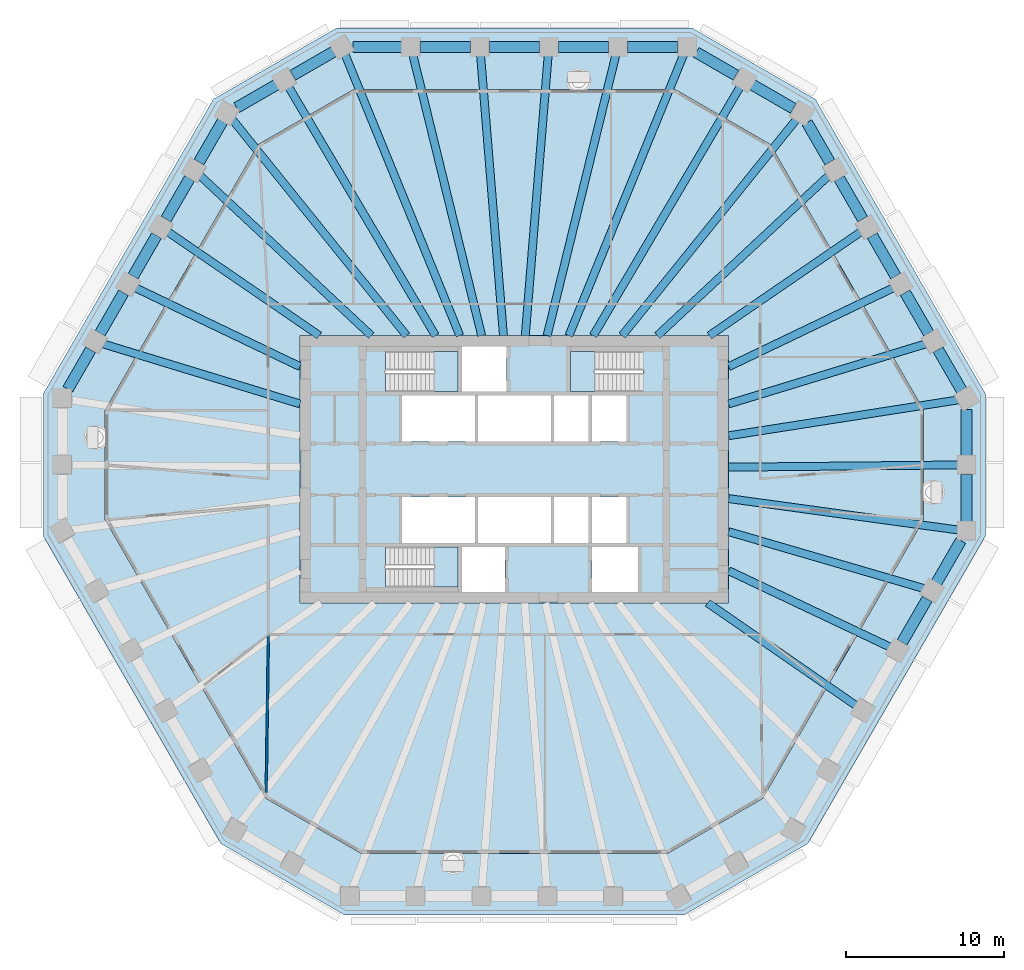
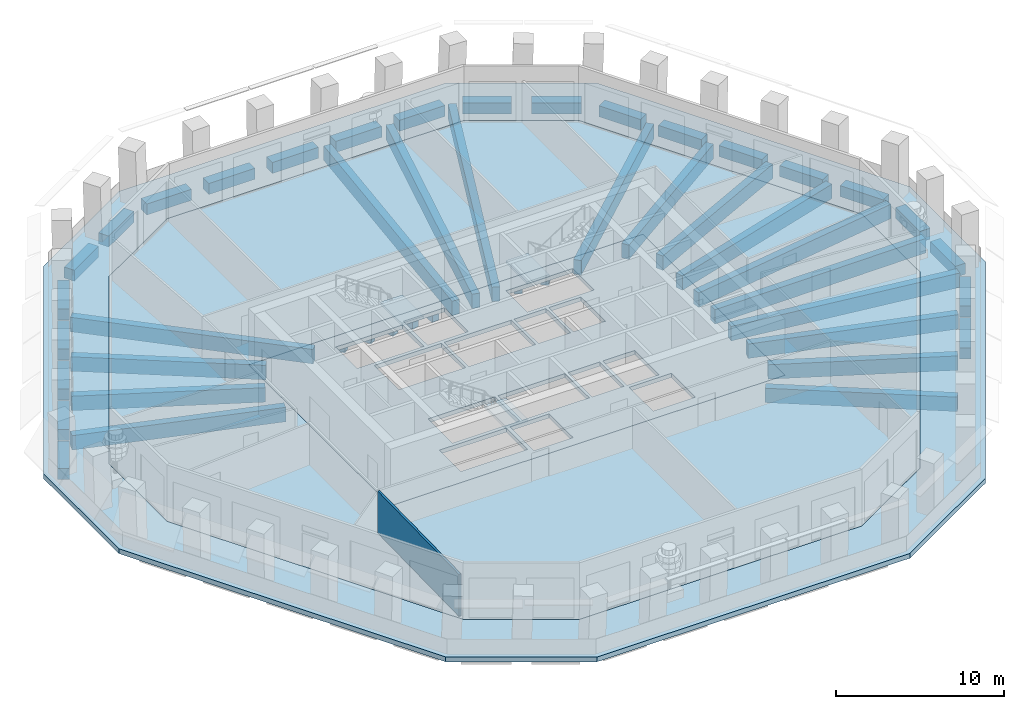
# One storey, part 2 of 12: 47 beams, 6 slabs, 1 wall, 3 elements without a shape of their own.
"""IFC4 building model written with IfcOpenShell, lengths in metres."""

from ifc_helpers import new_model, si_unit, direction, frame, frame_2d, origin, origin_2d, place, context, subcontext, project, spatial, polyline, rectangle, outline, extrude, material, layer, layer_set, material_profile, profile_set, type_object, element, aggregate, save


model = new_model("IFC4")

# Units and contexts
model_context = context("Model", 3, precision=1e-05, world=origin(), true_north=direction((0.0, 1.0)))
body_context = subcontext(model_context, "Body", "Model", "MODEL_VIEW")
ifc_project = project(units=[si_unit("LENGTHUNIT", "METRE"), si_unit("AREAUNIT", "SQUARE_METRE"), si_unit("VOLUMEUNIT", "CUBIC_METRE"), si_unit("PLANEANGLEUNIT", "RADIAN"), si_unit("MASSUNIT", "GRAM", prefix="KILO")], contexts=[model_context])

# Site, building, storey
site_placement = place(None, origin())
site = spatial("IfcSite", under=ifc_project, at=site_placement, CompositionType="ELEMENT")
building_placement = place(site_placement, origin())
building = spatial("IfcBuilding", under=site, at=building_placement, Name="Frailejon Research Tower", CompositionType="ELEMENT")
storey_placement = place(building_placement, frame((0.0, 0.0, 154.0)))
storey = spatial("IfcBuildingStorey", under=building, at=storey_placement, Name="L33", CompositionType="ELEMENT", Elevation=154.0)

# Beams
ifc_material_1 = material(Name="Concrete C60/75", Category="concrete")
ifc_material_profile_1 = material_profile(ifc_material_1, rectangle(XDim=0.5, YDim=1.050048828125, at=origin_2d()), Name="Girder 500x1050")
ifc_profile_set_1 = profile_set([ifc_material_profile_1], Name="Concrete C60/75")
beam_type_1 = type_object("IfcBeamType", Name="Girder 500x1050", PredefinedType="BEAM", material=ifc_profile_set_1)
beam_1_placement = place(storey_placement, frame((28.12109375, -3.84912109375, -0.824951171875), z_axis=(-0.990762463923, 0.135608775829, 0.0), x_axis=(-0.135608775829, -0.990762463923, 0.0)))
element("IfcBeam", 1, at=beam_1_placement, inside=storey, type_object=beam_type_1, Name="Girder 500x1050", PredefinedType="BEAM", context=body_context, shape_type="SweptSolid", body=[
    extrude(rectangle(XDim=0.5, YDim=1.050048828125, at=origin_2d()), origin(), (0.0, 0.0, 1.0), 14.706787109375),
])
beam_2_placement = place(storey_placement, frame((28.12255859375, 0.272216796875, -0.824951171875), z_axis=(-0.999953117957, -0.009683072294, 0.0), x_axis=(0.009683072294, -0.999953117957, 0.0)))
element("IfcBeam", 2, at=beam_2_placement, inside=storey, type_object=beam_type_1, Name="Girder 500x1050", PredefinedType="BEAM", context=body_context, shape_type="SweptSolid", body=[
    extrude(rectangle(XDim=0.5, YDim=1.050048828125, at=origin_2d()), origin(), (0.0, 0.0, 1.0), 14.5732421875),
])
beam_3_placement = place(storey_placement, frame((28.085205078125, 4.387939453125, -0.824951171875), z_axis=(-0.988013299321, -0.154368780407, 0.0), x_axis=(0.154368780407, -0.988013299321, 0.0)))
element("IfcBeam", 3, at=beam_3_placement, inside=storey, type_object=beam_type_1, Name="Girder 500x1050", PredefinedType="BEAM", context=body_context, shape_type="SweptSolid", body=[
    extrude(rectangle(XDim=0.5, YDim=1.050048828125, at=origin_2d()), origin(), (0.0, 0.0, 1.0), 14.71142578125),
])
beam_4_placement = place(storey_placement, frame((26.042724609375, 7.93798828125, -0.824951171875), z_axis=(-0.956551317156, -0.29156401981, 0.0), x_axis=(0.29156401981, -0.956551317156, 0.0)))
element("IfcBeam", 4, at=beam_4_placement, inside=storey, type_object=beam_type_1, Name="Girder 500x1050", PredefinedType="BEAM", context=body_context, shape_type="SweptSolid", body=[
    extrude(rectangle(XDim=0.5, YDim=1.050048828125, at=origin_2d()), origin(), (0.0, 0.0, 1.0), 13.06005859375),
])
beam_5_placement = place(storey_placement, frame((23.996826171875, 11.48828125, -0.824951171875), z_axis=(-0.901960070093, -0.4318194437, 0.0), x_axis=(0.4318194437, -0.901960070093, 0.0)))
element("IfcBeam", 5, at=beam_5_placement, inside=storey, type_object=beam_type_1, Name="Girder 500x1050", PredefinedType="BEAM", context=body_context, shape_type="SweptSolid", body=[
    extrude(rectangle(XDim=0.5, YDim=1.050048828125, at=origin_2d()), origin(), (0.0, 0.0, 1.0), 11.582275390625),
])
beam_6_placement = place(storey_placement, frame((21.94775390625, 15.03759765625, -0.824951171875), z_axis=(-0.824948469505, -0.565207946389, 0.0), x_axis=(0.565207946389, -0.824948469505, 0.0)))
element("IfcBeam", 6, at=beam_6_placement, inside=storey, type_object=beam_type_1, Name="Girder 500x1050", PredefinedType="BEAM", context=body_context, shape_type="SweptSolid", body=[
    extrude(rectangle(XDim=0.5, YDim=1.050048828125, at=origin_2d()), origin(), (0.0, 0.0, 1.0), 11.6552734375),
])
beam_7_placement = place(storey_placement, frame((19.895751953125, 18.584716796875, -0.824951171875), z_axis=(-0.730770852653, -0.68262285408, 0.0), x_axis=(0.68262285408, -0.730770852653, 0.0)))
element("IfcBeam", 7, at=beam_7_placement, inside=storey, type_object=beam_type_1, Name="Girder 500x1050", PredefinedType="BEAM", context=body_context, shape_type="SweptSolid", body=[
    extrude(rectangle(XDim=0.5, YDim=1.050048828125, at=origin_2d()), origin(), (0.0, 0.0, 1.0), 14.8466796875),
])
beam_8_placement = place(storey_placement, frame((17.865234375, 22.156494140625, -0.824951171875), z_axis=(-0.627686860777, -0.778465930409, 0.0), x_axis=(0.778465930409, -0.627686860777, 0.0)))
element("IfcBeam", 8, at=beam_8_placement, inside=storey, type_object=beam_type_1, Name="Girder 500x1050", PredefinedType="BEAM", context=body_context, shape_type="SweptSolid", body=[
    extrude(rectangle(XDim=0.5, YDim=1.050048828125, at=origin_2d()), origin(), (0.0, 0.0, 1.0), 17.607177734375),
])
beam_9_placement = place(storey_placement, frame((14.296875, 24.21875, -0.824951171875), z_axis=(-0.508351494796, -0.861149672089, 0.0), x_axis=(0.861149672089, -0.508351494796, 0.0)))
element("IfcBeam", 9, at=beam_9_placement, inside=storey, type_object=beam_type_1, Name="Girder 500x1050", PredefinedType="BEAM", context=body_context, shape_type="SweptSolid", body=[
    extrude(rectangle(XDim=0.5, YDim=1.050048828125, at=origin_2d()), origin(), (0.0, 0.0, 1.0), 18.311279296875),
])
beam_10_placement = place(storey_placement, frame((10.7109375, 26.239013671875, -0.824951171875), z_axis=(-0.377925227051, -0.925836120897, 0.0), x_axis=(0.925836120897, -0.377925227051, 0.0)))
element("IfcBeam", 10, at=beam_10_placement, inside=storey, type_object=beam_type_1, Name="Girder 500x1050", PredefinedType="BEAM", context=body_context, shape_type="SweptSolid", body=[
    extrude(rectangle(XDim=0.5, YDim=1.050048828125, at=origin_2d()), origin(), (0.0, 0.0, 1.0), 19.214111328125),
])
beam_11_placement = place(storey_placement, frame((6.42822265625, 26.24560546875, -0.824951171875), z_axis=(-0.237895667757, -0.971290714082, 0.0), x_axis=(0.971290714082, -0.237895667757, 0.0)))
element("IfcBeam", 11, at=beam_11_placement, inside=storey, type_object=beam_type_1, Name="Girder 500x1050", PredefinedType="BEAM", context=body_context, shape_type="SweptSolid", body=[
    extrude(rectangle(XDim=0.5, YDim=1.050048828125, at=origin_2d()), origin(), (0.0, 0.0, 1.0), 18.32177734375),
])
for number, where, z_axis, x_axis, name in (
    (12, (2.14306640625, 26.24951171875, -0.824951171875), (-0.081367552363, -0.996684163325, 0.0), (0.996684163325, -0.081367552363, 0.0), "Girder 500x1050"),
    (13, (-2.14306640625, 26.24951171875, -0.824951171875), (0.081367552363, -0.996684163325, 0.0), (0.996684163325, 0.081367552363, 0.0), "Girder 500x1050"),
):
    element("IfcBeam", number, at=place(storey_placement, frame(where, z_axis=z_axis, x_axis=x_axis)), inside=storey, type_object=beam_type_1, Name=name, PredefinedType="BEAM", context=body_context, shape_type="SweptSolid", body=[
        extrude(rectangle(XDim=0.5, YDim=1.050048828125, at=origin_2d()), origin(), (0.0, 0.0, 1.0), 17.85888671875),
    ])
beam_12_placement = place(storey_placement, frame((-6.42822265625, 26.24560546875, -0.824951171875), z_axis=(0.237895667757, -0.971290714082, 0.0), x_axis=(0.971290714082, 0.237895667757, 0.0)))
element("IfcBeam", 14, at=beam_12_placement, inside=storey, type_object=beam_type_1, Name="Girder 500x1050", PredefinedType="BEAM", context=body_context, shape_type="SweptSolid", body=[
    extrude(rectangle(XDim=0.5, YDim=1.050048828125, at=origin_2d()), origin(), (0.0, 0.0, 1.0), 18.32177734375),
])
beam_13_placement = place(storey_placement, frame((-10.72705078125, 26.2783203125, -0.824951171875), z_axis=(0.377928269816, -0.925834878839, 0.0), x_axis=(0.925834878839, 0.377928269816, 0.0)))
element("IfcBeam", 15, at=beam_13_placement, inside=storey, type_object=beam_type_1, Name="Girder 500x1050", PredefinedType="BEAM", context=body_context, shape_type="SweptSolid", body=[
    extrude(rectangle(XDim=0.5, YDim=1.050048828125, at=origin_2d()), origin(), (0.0, 0.0, 1.0), 19.256591796875),
])
beam_14_placement = place(storey_placement, frame((-14.296875, 24.21875, -0.824951171875), z_axis=(0.508351494796, -0.861149672089, 0.0), x_axis=(0.861149672089, 0.508351494796, 0.0)))
element("IfcBeam", 16, at=beam_14_placement, inside=storey, type_object=beam_type_1, Name="Girder 500x1050", PredefinedType="BEAM", context=body_context, shape_type="SweptSolid", body=[
    extrude(rectangle(XDim=0.5, YDim=1.050048828125, at=origin_2d()), origin(), (0.0, 0.0, 1.0), 18.311279296875),
])
beam_15_placement = place(storey_placement, frame((-17.8427734375, 22.12841796875, -0.824951171875), z_axis=(0.627692973307, -0.77846100176, 0.0), x_axis=(0.77846100176, 0.627692973307, 0.0)))
element("IfcBeam", 17, at=beam_15_placement, inside=storey, type_object=beam_type_1, Name="Girder 500x1050", PredefinedType="BEAM", context=body_context, shape_type="SweptSolid", body=[
    extrude(rectangle(XDim=0.5, YDim=1.050048828125, at=origin_2d()), origin(), (0.0, 0.0, 1.0), 17.571044921875),
])
beam_16_placement = place(storey_placement, frame((-19.895751953125, 18.584716796875, -0.824951171875), z_axis=(0.730770852653, -0.68262285408, 0.0), x_axis=(0.68262285408, 0.730770852653, 0.0)))
element("IfcBeam", 18, at=beam_16_placement, inside=storey, type_object=beam_type_1, Name="Girder 500x1050", PredefinedType="BEAM", context=body_context, shape_type="SweptSolid", body=[
    extrude(rectangle(XDim=0.5, YDim=1.050048828125, at=origin_2d()), origin(), (0.0, 0.0, 1.0), 14.8466796875),
])
beam_17_placement = place(storey_placement, frame((-21.94775390625, 15.03759765625, -0.824951171875), z_axis=(0.824948469505, -0.565207946389, 0.0), x_axis=(0.565207946389, 0.824948469505, 0.0)))
element("IfcBeam", 19, at=beam_17_placement, inside=storey, type_object=beam_type_1, Name="Girder 500x1050", PredefinedType="BEAM", context=body_context, shape_type="SweptSolid", body=[
    extrude(rectangle(XDim=0.5, YDim=1.050048828125, at=origin_2d()), origin(), (0.0, 0.0, 1.0), 11.6552734375),
])
beam_18_placement = place(storey_placement, frame((-23.996826171875, 11.48828125, -0.824951171875), z_axis=(0.901960070093, -0.4318194437, 0.0), x_axis=(0.4318194437, 0.901960070093, 0.0)))
element("IfcBeam", 20, at=beam_18_placement, inside=storey, type_object=beam_type_1, Name="Girder 500x1050", PredefinedType="BEAM", context=body_context, shape_type="SweptSolid", body=[
    extrude(rectangle(XDim=0.5, YDim=1.050048828125, at=origin_2d()), origin(), (0.0, 0.0, 1.0), 11.582275390625),
])
beam_19_placement = place(storey_placement, frame((-26.042724609375, 7.93798828125, -0.824951171875), z_axis=(0.956551317156, -0.29156401981, 0.0), x_axis=(0.29156401981, 0.956551317156, 0.0)))
element("IfcBeam", 21, at=beam_19_placement, inside=storey, type_object=beam_type_1, Name="Girder 500x1050", PredefinedType="BEAM", context=body_context, shape_type="SweptSolid", body=[
    extrude(rectangle(XDim=0.5, YDim=1.050048828125, at=origin_2d()), origin(), (0.0, 0.0, 1.0), 13.06005859375),
])
beam_20_placement = place(storey_placement, frame((21.6611328125, -14.980712890625, -0.824951171875), z_axis=(-0.822461561042, 0.568820692845, 0.0), x_axis=(-0.568820692845, -0.822461561042, 0.0)))
element("IfcBeam", 22, at=beam_20_placement, inside=storey, type_object=beam_type_1, Name="Girder 500x1050", PredefinedType="BEAM", context=body_context, shape_type="SweptSolid", body=[
    extrude(rectangle(XDim=0.5, YDim=1.050048828125, at=origin_2d()), origin(), (0.0, 0.0, 1.0), 11.481201171875),
])
beam_21_placement = place(storey_placement, frame((23.80419921875, -11.268798828125, -0.824951171875), z_axis=(-0.903839471022, 0.427871722158, 0.0), x_axis=(-0.427871722158, -0.903839471022, 0.0)))
element("IfcBeam", 23, at=beam_21_placement, inside=storey, type_object=beam_type_1, Name="Girder 500x1050", PredefinedType="BEAM", context=body_context, shape_type="SweptSolid", body=[
    extrude(rectangle(XDim=0.5, YDim=1.050048828125, at=origin_2d()), origin(), (0.0, 0.0, 1.0), 11.34521484375),
])
beam_22_placement = place(storey_placement, frame((25.943603515625, -7.555908203125, -0.824951171875), z_axis=(-0.960107537407, 0.279631036572, 0.0), x_axis=(-0.279631036572, -0.960107537407, 0.0)))
element("IfcBeam", 24, at=beam_22_placement, inside=storey, type_object=beam_type_1, Name="Girder 500x1050", PredefinedType="BEAM", context=body_context, shape_type="SweptSolid", body=[
    extrude(rectangle(XDim=0.5, YDim=1.050048828125, at=origin_2d()), origin(), (0.0, 0.0, 1.0), 12.908447265625),
])
ifc_material_2 = material(Name="Concrete C60/75", Category="concrete")
ifc_material_profile_2 = material_profile(ifc_material_2, rectangle(XDim=0.699951171875, YDim=0.800048828125, at=origin_2d()), Name="Spandrel 700x800")
ifc_profile_set_2 = profile_set([ifc_material_profile_2], Name="Concrete C60/75")
beam_type_2 = type_object("IfcBeamType", Name="Spandrel 700x800", PredefinedType="BEAM", material=ifc_profile_set_2)
beam_23_placement = place(storey_placement, frame((28.572509765625, -3.31103515625, -0.75), z_axis=(0.0, 1.0, 0.0), x_axis=(-1.0, 0.0, 0.0)))
element("IfcBeam", 25, at=beam_23_placement, inside=storey, type_object=beam_type_2, Name="Spandrel 700x800", PredefinedType="BEAM", context=body_context, shape_type="SweptSolid", body=[
    extrude(rectangle(XDim=0.699951171875, YDim=0.800048828125, at=origin_2d()), origin(), (0.0, 0.0, 1.0), 2.987548828125),
])
beam_24_placement = place(storey_placement, frame((28.572509765625, 0.876708984375, -0.75), z_axis=(0.0, 1.0, 0.0), x_axis=(-1.0, 0.0, 0.0)))
element("IfcBeam", 26, at=beam_24_placement, inside=storey, type_object=beam_type_2, Name="Spandrel 700x800", PredefinedType="BEAM", context=body_context, shape_type="SweptSolid", body=[
    extrude(rectangle(XDim=0.699951171875, YDim=0.800048828125, at=origin_2d()), origin(), (0.0, 0.0, 1.0), 2.89453125),
])
beam_25_placement = place(storey_placement, frame((28.2724609375, 4.983642578125, -0.75), z_axis=(-0.500004874343, 0.866022589563, 0.0), x_axis=(-0.866022589563, -0.500004874343, 0.0)))
element("IfcBeam", 27, at=beam_25_placement, inside=storey, type_object=beam_type_2, Name="Spandrel 700x800", PredefinedType="BEAM", context=body_context, shape_type="SweptSolid", body=[
    extrude(rectangle(XDim=0.699951171875, YDim=0.800048828125, at=origin_2d()), origin(), (0.0, 0.0, 1.0), 2.96826171875),
])
beam_26_placement = place(storey_placement, frame((26.1884765625, 8.593505859375, -0.75), z_axis=(-0.500040492491, 0.866002024172, 0.0), x_axis=(-0.866002024172, -0.500040492491, 0.0)))
element("IfcBeam", 28, at=beam_26_placement, inside=storey, type_object=beam_type_2, Name="Spandrel 700x800", PredefinedType="BEAM", context=body_context, shape_type="SweptSolid", body=[
    extrude(rectangle(XDim=0.699951171875, YDim=0.800048828125, at=origin_2d()), origin(), (0.0, 0.0, 1.0), 2.968017578125),
])
for number, where, z_axis, x_axis, name in (
    (29, (24.1044921875, 12.202880859375, -0.75), (-0.500004874343, 0.866022589563, 0.0), (-0.866022589563, -0.500004874343, 0.0), "Spandrel 700x800"),
    (30, (22.0205078125, 15.812744140625, -0.75), (-0.500004874343, 0.866022589563, 0.0), (-0.866022589563, -0.500004874343, 0.0), "Spandrel 700x800"),
):
    element("IfcBeam", number, at=place(storey_placement, frame(where, z_axis=z_axis, x_axis=x_axis)), inside=storey, type_object=beam_type_2, Name=name, PredefinedType="BEAM", context=body_context, shape_type="SweptSolid", body=[
        extrude(rectangle(XDim=0.699951171875, YDim=0.800048828125, at=origin_2d()), origin(), (0.0, 0.0, 1.0), 2.96826171875),
    ])
beam_27_placement = place(storey_placement, frame((19.936279296875, 19.42236328125, -0.75), z_axis=(-0.499974818771, 0.866039941686, 0.0), x_axis=(-0.866039941686, -0.499974818771, 0.0)))
element("IfcBeam", 31, at=beam_27_placement, inside=storey, type_object=beam_type_2, Name="Spandrel 700x800", PredefinedType="BEAM", context=body_context, shape_type="SweptSolid", body=[
    extrude(rectangle(XDim=0.699951171875, YDim=0.800048828125, at=origin_2d()), origin(), (0.0, 0.0, 1.0), 2.875244140625),
])
beam_28_placement = place(storey_placement, frame((17.6328125, 22.8125, -0.75), z_axis=(-0.866052229876, 0.499953532967, 0.0), x_axis=(-0.499953532967, -0.866052229876, 0.0)))
element("IfcBeam", 32, at=beam_28_placement, inside=storey, type_object=beam_type_2, Name="Spandrel 700x800", PredefinedType="BEAM", context=body_context, shape_type="SweptSolid", body=[
    extrude(rectangle(XDim=0.699951171875, YDim=0.800048828125, at=origin_2d()), origin(), (0.0, 0.0, 1.0), 2.987548828125),
])
beam_29_placement = place(storey_placement, frame((14.006103515625, 24.90625, -0.75), z_axis=(-0.866033897268, 0.499985288567, 0.0), x_axis=(-0.499985288567, -0.866033897268, 0.0)))
element("IfcBeam", 33, at=beam_29_placement, inside=storey, type_object=beam_type_2, Name="Spandrel 700x800", PredefinedType="BEAM", context=body_context, shape_type="SweptSolid", body=[
    extrude(rectangle(XDim=0.699951171875, YDim=0.800048828125, at=origin_2d()), origin(), (0.0, 0.0, 1.0), 2.89453125),
])
beam_30_placement = place(storey_placement, frame((10.29931640625, 26.699951171875, -0.75), z_axis=(-1.0, 0.0, 0.0), x_axis=(0.0, -1.0, 0.0)))
element("IfcBeam", 34, at=beam_30_placement, inside=storey, type_object=beam_type_2, Name="Spandrel 700x800", PredefinedType="BEAM", context=body_context, shape_type="SweptSolid", body=[
    extrude(rectangle(XDim=0.699951171875, YDim=0.800048828125, at=origin_2d()), origin(), (0.0, 0.0, 1.0), 3.159912109375),
])
for number, where, z_axis, x_axis, name in (
    (35, (5.939453125, 26.699951171875, -0.75), (-1.0, 0.0, 0.0), (0.0, -1.0, 0.0), "Spandrel 700x800"),
    (36, (1.579833984375, 26.699951171875, -0.75), (-1.0, 0.0, 0.0), (0.0, -1.0, 0.0), "Spandrel 700x800"),
    (37, (-2.77978515625, 26.699951171875, -0.75), (-1.0, 0.0, 0.0), (0.0, -1.0, 0.0), "Spandrel 700x800"),
):
    element("IfcBeam", number, at=place(storey_placement, frame(where, z_axis=z_axis, x_axis=x_axis)), inside=storey, type_object=beam_type_2, Name=name, PredefinedType="BEAM", context=body_context, shape_type="SweptSolid", body=[
        extrude(rectangle(XDim=0.699951171875, YDim=0.800048828125, at=origin_2d()), origin(), (0.0, 0.0, 1.0), 3.15966796875),
    ])
beam_31_placement = place(storey_placement, frame((-7.139404296875, 26.699951171875, -0.75), z_axis=(-1.0, 0.0, 0.0), x_axis=(0.0, -1.0, 0.0)))
element("IfcBeam", 38, at=beam_31_placement, inside=storey, type_object=beam_type_2, Name="Spandrel 700x800", PredefinedType="BEAM", context=body_context, shape_type="SweptSolid", body=[
    extrude(rectangle(XDim=0.699951171875, YDim=0.800048828125, at=origin_2d()), origin(), (0.0, 0.0, 1.0), 3.06689453125),
])
beam_32_placement = place(storey_placement, frame((-11.418701171875, 26.39990234375, -0.75), z_axis=(-0.866052229876, -0.499953532967, 0.0), x_axis=(0.499953532967, -0.866052229876, 0.0)))
element("IfcBeam", 39, at=beam_32_placement, inside=storey, type_object=beam_type_2, Name="Spandrel 700x800", PredefinedType="BEAM", context=body_context, shape_type="SweptSolid", body=[
    extrude(rectangle(XDim=0.699951171875, YDim=0.800048828125, at=origin_2d()), origin(), (0.0, 0.0, 1.0), 2.987548828125),
])
beam_33_placement = place(storey_placement, frame((-15.04541015625, 24.30615234375, -0.75), z_axis=(-0.866033897268, -0.499985288567, 0.0), x_axis=(0.499985288567, -0.866033897268, 0.0)))
element("IfcBeam", 40, at=beam_33_placement, inside=storey, type_object=beam_type_2, Name="Spandrel 700x800", PredefinedType="BEAM", context=body_context, shape_type="SweptSolid", body=[
    extrude(rectangle(XDim=0.699951171875, YDim=0.800048828125, at=origin_2d()), origin(), (0.0, 0.0, 1.0), 2.89453125),
])
beam_34_placement = place(storey_placement, frame((-18.452392578125, 21.992919921875, -0.75), z_axis=(-0.499943182559, -0.866058204864, 0.0), x_axis=(0.866058204864, -0.499943182559, 0.0)))
element("IfcBeam", 41, at=beam_34_placement, inside=storey, type_object=beam_type_2, Name="Spandrel 700x800", PredefinedType="BEAM", context=body_context, shape_type="SweptSolid", body=[
    extrude(rectangle(XDim=0.699951171875, YDim=0.800048828125, at=origin_2d()), origin(), (0.0, 0.0, 1.0), 2.968017578125),
])
for number, where, z_axis, x_axis, name in (
    (42, (-20.536376953125, 18.38330078125, -0.75), (-0.500004874343, -0.866022589563, 0.0), (0.866022589563, -0.500004874343, 0.0), "Spandrel 700x800"),
    (43, (-22.620361328125, 14.7734375, -0.75), (-0.500004874343, -0.866022589563, 0.0), (0.866022589563, -0.500004874343, 0.0), "Spandrel 700x800"),
):
    element("IfcBeam", number, at=place(storey_placement, frame(where, z_axis=z_axis, x_axis=x_axis)), inside=storey, type_object=beam_type_2, Name=name, PredefinedType="BEAM", context=body_context, shape_type="SweptSolid", body=[
        extrude(rectangle(XDim=0.699951171875, YDim=0.800048828125, at=origin_2d()), origin(), (0.0, 0.0, 1.0), 2.96826171875),
    ])
beam_35_placement = place(storey_placement, frame((-24.704345703125, 11.163818359375, -0.75), z_axis=(-0.500040492491, -0.866002024172, 0.0), x_axis=(0.866002024172, -0.500040492491, 0.0)))
element("IfcBeam", 44, at=beam_35_placement, inside=storey, type_object=beam_type_2, Name="Spandrel 700x800", PredefinedType="BEAM", context=body_context, shape_type="SweptSolid", body=[
    extrude(rectangle(XDim=0.699951171875, YDim=0.800048828125, at=origin_2d()), origin(), (0.0, 0.0, 1.0), 2.968017578125),
])
beam_36_placement = place(storey_placement, frame((-26.788330078125, 7.55419921875, -0.75), z_axis=(-0.500038502505, -0.866003173212, 0.0), x_axis=(0.866003173212, -0.500038502505, 0.0)))
element("IfcBeam", 45, at=beam_36_placement, inside=storey, type_object=beam_type_2, Name="Spandrel 700x800", PredefinedType="BEAM", context=body_context, shape_type="SweptSolid", body=[
    extrude(rectangle(XDim=0.699951171875, YDim=0.800048828125, at=origin_2d()), origin(), (0.0, 0.0, 1.0), 2.875244140625),
])
beam_37_placement = place(storey_placement, frame((24.5126953125, -10.942626953125, -0.75), z_axis=(0.500003371769, 0.866023457084, 0.0), x_axis=(-0.866023457084, 0.500003371769, 0.0)))
element("IfcBeam", 46, at=beam_37_placement, inside=storey, type_object=beam_type_2, Name="Spandrel 700x800", PredefinedType="BEAM", context=body_context, shape_type="SweptSolid", body=[
    extrude(rectangle(XDim=0.699951171875, YDim=0.800048828125, at=origin_2d()), origin(), (0.0, 0.0, 1.0), 3.15966796875),
])
beam_38_placement = place(storey_placement, frame((26.692626953125, -7.1669921875, -0.75), z_axis=(0.500000383388, 0.866025182435, 0.0), x_axis=(-0.866025182435, 0.500000383388, 0.0)))
element("IfcBeam", 47, at=beam_38_placement, inside=storey, type_object=beam_type_2, Name="Spandrel 700x800", PredefinedType="BEAM", context=body_context, shape_type="SweptSolid", body=[
    extrude(rectangle(XDim=0.699951171875, YDim=0.800048828125, at=origin_2d()), origin(), (0.0, 0.0, 1.0), 3.06689453125),
])

# Slabs
ifc_material_3 = material(Name="Concrete C60/75", Category="concrete")
ifc_layer_1 = layer(ifc_material_3, 0.300048828125)
ifc_layer_set_1 = layer_set([ifc_layer_1], Name="Core floor slab 300 C60/75")
slab_type_1 = type_object("IfcSlabType", Name="Core floor slab 300 C60/75", PredefinedType="FLOOR", material=ifc_layer_set_1)
slab_1_placement = place(storey_placement, frame((0.0, 0.0, -0.300048828125)))
element("IfcSlab", 48, at=slab_1_placement, inside=storey, type_object=slab_type_1, Name="Core floor slab", PredefinedType="FLOOR", context=body_context, shape_type="SweptSolid", body=[
    extrude(outline(polyline([(13.550048828125, -8.449951171875), (13.550048828125, 8.449951171875), (-13.550048828125, 8.449951171875), (-13.550048828125, -8.449951171875), (13.550048828125, -8.449951171875)]), holes=[polyline([(-2.5, 1.75), (-2.5, 4.64990234375), (-7.10009765625, 4.64990234375), (-7.10009765625, 1.75), (-2.5, 1.75)]), polyline([(2.300048828125, 1.75), (2.300048828125, 4.64990234375), (-2.300048828125, 4.64990234375), (-2.300048828125, 1.75), (2.300048828125, 1.75)]), polyline([(4.699951171875, 1.75), (4.699951171875, 4.64990234375), (2.5, 4.64990234375), (2.5, 1.75), (4.699951171875, 1.75)]), polyline([(7.10009765625, 1.75), (7.10009765625, 4.64990234375), (4.89990234375, 4.64990234375), (4.89990234375, 1.75), (7.10009765625, 1.75)]), polyline([(-2.5, -4.64990234375), (-2.5, -1.75), (-7.10009765625, -1.75), (-7.10009765625, -4.64990234375), (-2.5, -4.64990234375)]), polyline([(2.300048828125, -4.64990234375), (2.300048828125, -1.75), (-2.300048828125, -1.75), (-2.300048828125, -4.64990234375), (2.300048828125, -4.64990234375)]), polyline([(4.699951171875, -4.64990234375), (4.699951171875, -1.75), (2.5, -1.75), (2.5, -4.64990234375), (4.699951171875, -4.64990234375)]), polyline([(7.10009765625, -4.64990234375), (7.10009765625, -1.75), (4.89990234375, -1.75), (4.89990234375, -4.64990234375), (7.10009765625, -4.64990234375)]), polyline([(-8.14697265625, 4.89990234375), (-3.550048828125, 4.89990234375), (-3.550048828125, 7.449951171875), (-8.14697265625, 7.449951171875), (-8.14697265625, 4.89990234375)]), polyline([(-8.14697265625, -7.449951171875), (-3.550048828125, -7.449951171875), (-3.550048828125, -4.89990234375), (-8.14697265625, -4.89990234375), (-8.14697265625, -7.449951171875)]), polyline([(8.14697265625, 7.449951171875), (3.550048828125, 7.449951171875), (3.550048828125, 4.89990234375), (8.14697265625, 4.89990234375), (8.14697265625, 7.449951171875)]), polyline([(-0.60009765625, -7.75), (-0.60009765625, -4.89990234375), (-3.300048828125, -4.89990234375), (-3.300048828125, -7.75), (-0.60009765625, -7.75)]), polyline([(7.800048828125, -7.75), (7.800048828125, -4.89990234375), (4.89990234375, -4.89990234375), (4.89990234375, -7.75), (7.800048828125, -7.75)]), polyline([(-0.5, 4.89990234375), (-0.5, 7.75), (-3.300048828125, 7.75), (-3.300048828125, 4.89990234375), (-0.5, 4.89990234375)])]), origin(), (0.0, 0.0, 1.0), 0.300048828125),
])
ifc_material_4 = material(Name="Concrete C40/50", Category="concrete")
ifc_layer_2 = layer(ifc_material_4, 0.35009765625)
ifc_layer_set_2 = layer_set([ifc_layer_2], Name="Loggia slab 350")
slab_type_2 = type_object("IfcSlabType", Name="Loggia slab 350", PredefinedType="USERDEFINED", material=ifc_layer_set_2)
slab_2_placement = place(storey_placement, frame((0.0, 0.0, -0.35009765625)))
element("IfcSlab", 49, at=slab_2_placement, inside=storey, type_object=slab_type_2, Name="Loggia slab L33", ObjectType="LOGGIA", PredefinedType="USERDEFINED", context=body_context, shape_type="SweptSolid", body=[
    extrude(outline(polyline([(18.5517578125, -23.66748046875), (10.74169921875, -28.176513671875), (-10.74169921875, -28.176513671875), (-18.5517578125, -23.66748046875), (-29.7724609375, -4.232666015625), (-29.7724609375, 4.78564453125), (-19.03076171875, 23.390869140625), (-11.220703125, 27.89990234375), (11.220703125, 27.89990234375), (19.03076171875, 23.390869140625), (29.7724609375, 4.78564453125), (29.7724609375, -4.232666015625), (18.5517578125, -23.66748046875)]), holes=[polyline([(25.87255859375, 3.74072265625), (16.17578125, 20.535888671875), (10.17578125, 24.0), (-10.17578125, 24.0), (-16.17578125, 20.535888671875), (-25.87255859375, 3.74072265625), (-25.87255859375, -3.1875), (-15.69677734375, -20.8125), (-9.69677734375, -24.276611328125), (9.69677734375, -24.276611328125), (15.69677734375, -20.8125), (25.87255859375, -3.1875), (25.87255859375, 3.74072265625)])]), origin(), (0.0, 0.0, 1.0), 0.35009765625),
])
ifc_material_5 = material(Name="Concrete C40/50", Category="concrete")
ifc_layer_3 = layer(ifc_material_5, 0.300048828125)
ifc_layer_set_3 = layer_set([ifc_layer_3], Name="Slab typical 300")
slab_type_3 = type_object("IfcSlabType", Name="Slab typical 300", PredefinedType="FLOOR", material=ifc_layer_set_3)
slab_3_placement = place(storey_placement, frame((0.0, 0.0, -0.300048828125)))
element("IfcSlab", 50, at=slab_3_placement, inside=storey, type_object=slab_type_3, Name="Floor slab L33", PredefinedType="FLOOR", context=body_context, shape_type="SweptSolid", body=[
    extrude(outline(polyline([(25.87255859375, -3.1875), (25.87255859375, 3.74072265625), (16.17578125, 20.535888671875), (10.17578125, 24.0), (-10.17578125, 24.0), (-16.17578125, 20.535888671875), (-25.87255859375, 3.74072265625), (-25.87255859375, -3.1875), (-15.69677734375, -20.8125), (-9.69677734375, -24.276611328125), (9.69677734375, -24.276611328125), (15.69677734375, -20.8125), (25.87255859375, -3.1875)]), holes=[polyline([(13.550048828125, -8.449951171875), (-13.550048828125, -8.449951171875), (-13.550048828125, 8.449951171875), (13.550048828125, 8.449951171875), (13.550048828125, -8.449951171875)])]), origin(), (0.0, 0.0, 1.0), 0.300048828125),
])

# Stair, slab
ifc_material_6 = material(Name="Concrete C50/60", Category="concrete")
stair_type = type_object("IfcStairType", Name="Exit stair 24 risers", PredefinedType="HALF_TURN_STAIR", material=ifc_material_6)
stair_1_placement = place(storey_placement, origin())
stair_1 = element("IfcStair", 51, at=stair_1_placement, inside=storey, type_object=stair_type, Name="L33 Exit stair ST1", PredefinedType="HALF_TURN_STAIR")
ifc_material_7 = material(Name="Concrete C50/60", Category="concrete")
ifc_layer_4 = layer(ifc_material_7, 0.199951171875)
ifc_layer_set_4 = layer_set([ifc_layer_4], Name="Stair landing slab 200")
slab_type_4 = type_object("IfcSlabType", Name="Stair landing slab 200", PredefinedType="LANDING", material=ifc_layer_set_4)
slab_4_placement = place(storey_placement, frame((0.0, 0.0, 2.0)))
slab_4 = element("IfcSlab", 52, at=slab_4_placement, type_object=slab_type_4, Name="ST1 landing 1", PredefinedType="LANDING", context=body_context, shape_type="SweptSolid", body=[
    extrude(outline(polyline([(-5.070068359375, 4.89990234375), (-3.550048828125, 4.89990234375), (-3.550048828125, 7.449951171875), (-5.070068359375, 7.449951171875), (-5.070068359375, 4.89990234375)])), origin(), (0.0, 0.0, 1.0), 0.199951171875),
])
aggregate(stair_1, [slab_4])

stair_2_placement = place(storey_placement, origin())
stair_2 = element("IfcStair", 53, at=stair_2_placement, inside=storey, type_object=stair_type, Name="L33 Exit stair ST2", PredefinedType="HALF_TURN_STAIR")
slab_5_placement = place(storey_placement, frame((0.0, 0.0, 2.0)))
slab_5 = element("IfcSlab", 54, at=slab_5_placement, type_object=slab_type_4, Name="ST2 landing 1", PredefinedType="LANDING", context=body_context, shape_type="SweptSolid", body=[
    extrude(outline(polyline([(-5.070068359375, -7.449951171875), (-3.550048828125, -7.449951171875), (-3.550048828125, -4.89990234375), (-5.070068359375, -4.89990234375), (-5.070068359375, -7.449951171875)])), origin(), (0.0, 0.0, 1.0), 0.199951171875),
])
aggregate(stair_2, [slab_5])

stair_3_placement = place(storey_placement, origin())
stair_3 = element("IfcStair", 55, at=stair_3_placement, inside=storey, type_object=stair_type, Name="L33 Exit stair ST3", PredefinedType="HALF_TURN_STAIR")
slab_6_placement = place(storey_placement, frame((0.0, 0.0, 2.0)))
slab_6 = element("IfcSlab", 56, at=slab_6_placement, type_object=slab_type_4, Name="ST3 landing 1", PredefinedType="LANDING", context=body_context, shape_type="SweptSolid", body=[
    extrude(outline(polyline([(5.070068359375, 7.449951171875), (3.550048828125, 7.449951171875), (3.550048828125, 4.89990234375), (5.070068359375, 4.89990234375), (5.070068359375, 7.449951171875)])), origin(), (0.0, 0.0, 1.0), 0.199951171875),
])
aggregate(stair_3, [slab_6])

# Wall
ifc_material_8 = material(Name="Gypsum board and masonry partition", Category="masonry")
ifc_layer_5 = layer(ifc_material_8, 0.14990234375)
ifc_layer_set_5 = layer_set([ifc_layer_5], Name="Laboratory partition, blockwork 150")
wall_type = type_object("IfcWallType", Name="Laboratory partition, blockwork 150", PredefinedType="PARTITIONING", material=ifc_layer_set_5)
wall_placement = place(storey_placement, frame((-15.691162109375, -20.422119140625, 0.0), z_axis=(0.0, 0.0, 1.0), x_axis=(0.014146858067, 0.999899928196, 0.0)))
element("IfcWall", 57, at=wall_placement, inside=storey, type_object=wall_type, Name="T:IW:L33:017", PredefinedType="PARTITIONING", context=body_context, shape_type="SweptSolid", body=[
    extrude(rectangle(XDim=9.923095703125, YDim=0.14990234375, at=frame_2d((4.96142578125, 0.0))), origin(), (0.0, 0.0, 1.0), 3.050048828125),
])

save(model, "model.ifc")
